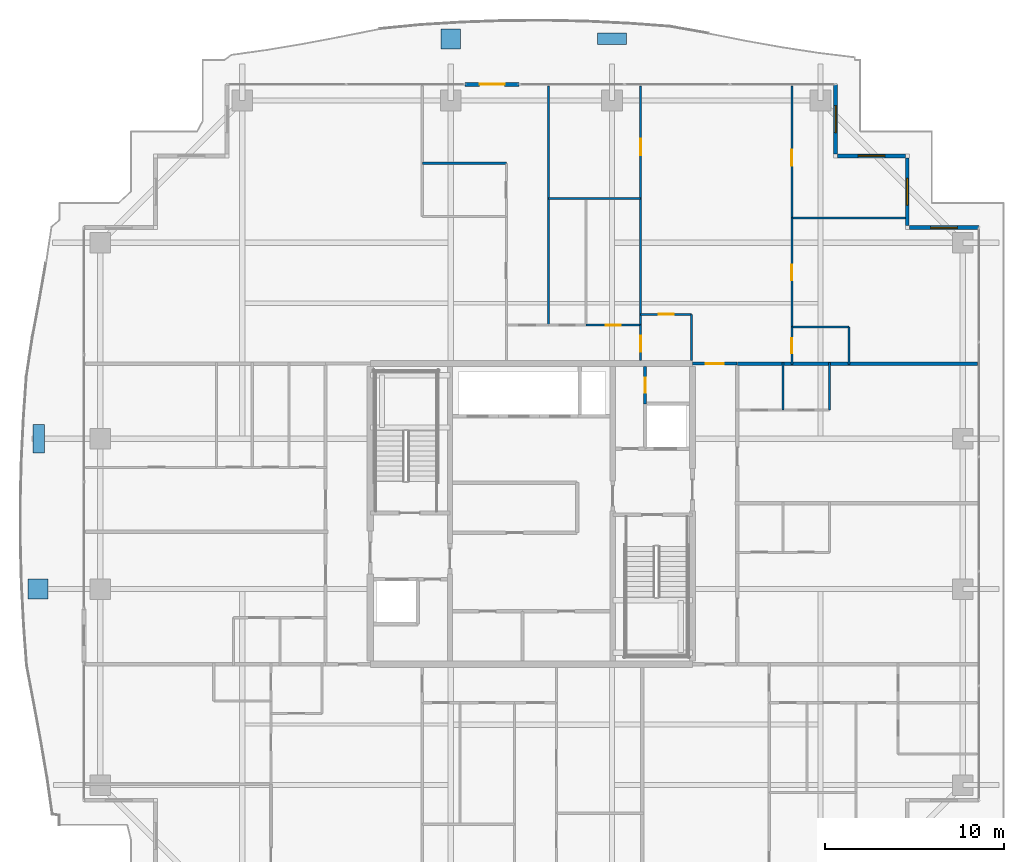
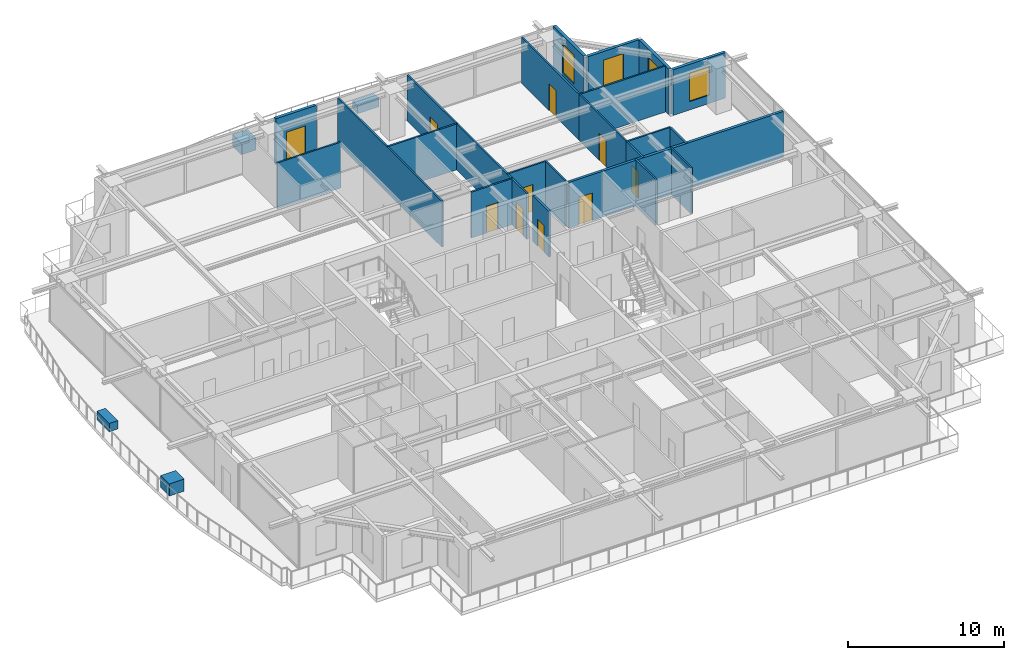
# One storey, part 31 of 38: 25 walls, 10 doors, 4 discrete accessories, 4 windows, 14 openings.
"""IFC4 building model written with IfcOpenShell, lengths in metres."""

import ifcopenshell
import ifcopenshell.guid

model = None  # the IFC model being written
_history = None  # IfcOwnerHistory: only IFC2X3 demands one
_inside = {}  # id of a spatial element -> (the spatial element, [elements in it])
_under = {}  # id of a project, library or spatial element -> (it, [spatial elements below it])
_declared = {}  # id of a project -> (the project, [libraries it declares])
_typed = {}  # id of a type object -> (the type object, [elements of that type])
_made_of = {}  # id of a material, layer set ... -> (it, [elements and type objects made of it])


def new_model(schema):
    """Start an empty IFC model of exactly this schema.

    Asked for "IFC4X3", IfcOpenShell would pick the latest addendum, in which some entities
    have other attributes; the version numbers below select the first issue.
    IFC2X3 requires an IfcOwnerHistory on every rooted entity: one is made here for all.
    """
    global model, _history
    if schema == "IFC4X3":
        model = ifcopenshell.file(schema_version=(4, 3, 0, 0))
    else:
        model = ifcopenshell.file(schema=schema)
    _inside.clear()
    _under.clear()
    _declared.clear()
    _typed.clear()
    _made_of.clear()
    _history = None
    if model.schema == "IFC2X3":
        org = make("IfcOrganization", Name="unknown")
        user = make(
            "IfcPersonAndOrganization",
            ThePerson=make("IfcPerson", FamilyName="unknown"),
            TheOrganization=org,
        )
        app = make(
            "IfcApplication",
            ApplicationDeveloper=org,
            Version="unknown",
            ApplicationFullName="unknown",
            ApplicationIdentifier="unknown",
        )
        _history = make(
            "IfcOwnerHistory",
            OwningUser=user,
            OwningApplication=app,
            ChangeAction="ADDED",
            CreationDate=0,
        )
    return model


def make(cls, **values):
    """One entity of the class cls with the attributes given. An attribute that is None is left unset."""
    return model.create_entity(
        cls, **{name: value for name, value in values.items() if value is not None}
    )


def rooted(cls, **values):
    """An entity with a GlobalId (a new one), such as an element, a storey or a relation."""
    return make(cls, GlobalId=ifcopenshell.guid.new(), OwnerHistory=_history, **values)


def si_unit(unit_type, name, prefix=None):
    """IfcSIUnit, for example si_unit("LENGTHUNIT", "METRE", prefix="MILLI")."""
    return make("IfcSIUnit", UnitType=unit_type, Prefix=prefix, Name=name)


def assignment(units):
    """IfcUnitAssignment: the units of a project."""
    return None if units is None else make("IfcUnitAssignment", Units=units)


def point(xyz):
    """IfcCartesianPoint."""
    return None if xyz is None else make("IfcCartesianPoint", Coordinates=xyz)


def direction(xyz):
    """IfcDirection."""
    return None if xyz is None else make("IfcDirection", DirectionRatios=xyz)


def frame(location, z_axis=None, x_axis=None):
    """IfcAxis2Placement3D, a coordinate frame: its origin and axes. An axis left out is left unset."""
    return make(
        "IfcAxis2Placement3D",
        Location=point(location),
        Axis=direction(z_axis),
        RefDirection=direction(x_axis),
    )


def frame_2d(location, x_axis=None):
    """IfcAxis2Placement2D, a coordinate frame in the plane: its origin and x axis."""
    return make(
        "IfcAxis2Placement2D", Location=point(location), RefDirection=direction(x_axis)
    )


def origin():
    """The frame at (0, 0, 0) with its axes left unset."""
    return frame((0.0, 0.0, 0.0))


def origin_2d():
    """The frame at (0, 0) in the plane with its x axis left unset."""
    return frame_2d((0.0, 0.0))


def place(relative_to, where):
    """IfcLocalPlacement: puts the frame where relative to a parent placement (None: the world)."""
    return make(
        "IfcLocalPlacement", PlacementRelTo=relative_to, RelativePlacement=where
    )


def context(
    kind, dimensions, precision=None, world=None, true_north=None, identifier=None
):
    """IfcGeometricRepresentationContext, for example the 3D "Model" context."""
    return make(
        "IfcGeometricRepresentationContext",
        ContextIdentifier=identifier,
        ContextType=kind,
        CoordinateSpaceDimension=dimensions,
        Precision=precision,
        WorldCoordinateSystem=world,
        TrueNorth=true_north,
    )


def subcontext(parent, identifier, kind, view, scale=None):
    """IfcGeometricRepresentationSubContext, for example "Body" below "Model"."""
    return make(
        "IfcGeometricRepresentationSubContext",
        ContextIdentifier=identifier,
        ContextType=kind,
        ParentContext=parent,
        TargetScale=scale,
        TargetView=view,
    )


def project(units=None, contexts=None):
    """IfcProject with its units and contexts."""
    return rooted(
        "IfcProject",
        Name="project",
        RepresentationContexts=contexts,
        UnitsInContext=assignment(units),
    )


def spatial(cls, under=None, at=None, **own):
    """A site, building, storey or space (cls), placed at a placement, below another one or the project."""
    s = rooted(cls, ObjectPlacement=at, **own)
    if under is not None:
        _under.setdefault(under.id(), (under, []))[1].append(s)
    return s


def profile(cls, at=None, kind="AREA", **sizes):
    """A parametric profile (cls). Its sizes go by their IFC names, for example OverallWidth=200.0."""
    return make(cls, ProfileType=kind, Position=at, **sizes)


def rectangle(**sizes):
    """IfcRectangleProfileDef."""
    return profile("IfcRectangleProfileDef", **sizes)


def extrude(swept, where, along, depth):
    """IfcExtrudedAreaSolid: the profile swept, set in the frame where, extruded along a direction by depth."""
    return make(
        "IfcExtrudedAreaSolid",
        SweptArea=swept,
        Position=where,
        ExtrudedDirection=direction(along),
        Depth=depth,
    )


def shape(context_of_items, identifier, shape_type, items):
    """IfcShapeRepresentation: the items that make up one representation, for example the "Body"."""
    return make(
        "IfcShapeRepresentation",
        ContextOfItems=context_of_items,
        RepresentationIdentifier=identifier,
        RepresentationType=shape_type,
        Items=items,
    )


def source(mapping_origin, context_of_items, identifier, shape_type, items):
    """IfcRepresentationMap: a shape defined once, which mapped items show again and again."""
    return make(
        "IfcRepresentationMap",
        MappingOrigin=mapping_origin,
        MappedRepresentation=shape(context_of_items, identifier, shape_type, items),
    )


def transform(
    local_origin,
    x_axis=None,
    y_axis=None,
    z_axis=None,
    scale=None,
    scale2=None,
    scale3=None,
    uniform=True,
):
    """IfcCartesianTransformationOperator3D, or its non-uniform kind. x_axis, y_axis, z_axis: its Axis1, 2, 3."""
    if uniform:
        return make(
            "IfcCartesianTransformationOperator3D",
            Axis1=direction(x_axis),
            Axis2=direction(y_axis),
            LocalOrigin=point(local_origin),
            Scale=scale,
            Axis3=direction(z_axis),
        )
    return make(
        "IfcCartesianTransformationOperator3DnonUniform",
        Axis1=direction(x_axis),
        Axis2=direction(y_axis),
        LocalOrigin=point(local_origin),
        Scale=scale,
        Axis3=direction(z_axis),
        Scale2=scale2,
        Scale3=scale3,
    )


def mapped(mapping_source, mapping_target):
    """IfcMappedItem: shows the shape of a source again, moved by a transform."""
    return make(
        "IfcMappedItem", MappingSource=mapping_source, MappingTarget=mapping_target
    )


def material(Name=None, Category=None):
    """IfcMaterial."""
    return make("IfcMaterial", Name=Name, Category=Category)


def layer(
    of_material, thickness, ventilated=None, Name=None, Category=None, Priority=None
):
    """IfcMaterialLayer: one layer of a wall or slab, of a material (None: an air gap)."""
    return make(
        "IfcMaterialLayer",
        Material=of_material,
        LayerThickness=thickness,
        IsVentilated=ventilated,
        Name=Name,
        Category=Category,
        Priority=Priority,
    )


def layer_set(layers, Name=None):
    """IfcMaterialLayerSet."""
    return make("IfcMaterialLayerSet", MaterialLayers=layers, LayerSetName=Name)


def made_of(thing, what):
    """Note that an element or type object is made of a material, layer set ...; save() writes the relation."""
    if what is not None:
        _made_of.setdefault(what.id(), (what, []))[1].append(thing)
    return thing


def type_object(cls, material=None, **own):
    """A type object (cls), such as IfcWallType, which elements share."""
    return made_of(rooted(cls, **own), material)


def element(
    cls,
    number,
    at=None,
    inside=None,
    cuts=None,
    type_object=None,
    material=None,
    context=None,
    identifier="Body",
    shape_type=None,
    held_by="IfcProductDefinitionShape",
    body=None,
    shapes=None,
    **own,
):
    """One element of the class cls, such as IfcWall. Its Tag is "e" and its number.

    at: its placement. inside: the storey or other place that contains it. cuts: it is an
    opening in that element (IfcRelVoidsElement). A single representation is given by context,
    identifier, shape_type and body (its items); several are given by shapes. held_by: the class
    of the entity that holds the representations. save() writes the other relations.
    """
    e = rooted(cls, Tag="e%d" % number, ObjectPlacement=at, **own)
    if body is not None:
        shapes = [shape(context, identifier, shape_type, body)]
    if shapes is not None:
        e.Representation = make(held_by, Representations=shapes)
    if inside is not None:
        _inside.setdefault(inside.id(), (inside, []))[1].append(e)
    if cuts is not None:
        rooted(
            "IfcRelVoidsElement", RelatingBuildingElement=cuts, RelatedOpeningElement=e
        )
    if type_object is not None:
        _typed.setdefault(type_object.id(), (type_object, []))[1].append(e)
    return made_of(e, material)


def fill(opening, filler):
    """IfcRelFillsElement: the door or window that sits in an opening."""
    return rooted(
        "IfcRelFillsElement",
        RelatingOpeningElement=opening,
        RelatedBuildingElement=filler,
    )


def aggregate(whole, parts):
    """IfcRelAggregates: a whole, such as a stair, and the parts it consists of."""
    return rooted("IfcRelAggregates", RelatingObject=whole, RelatedObjects=parts)


def save(model, path):
    """Write the relations noted so far, then the file.

    IfcRelAggregates (storeys below a building ...), IfcRelContainedInSpatialStructure (elements
    in a storey), IfcRelDefinesByType, IfcRelAssociatesMaterial and IfcRelDeclares: one each for
    every whole, place, type object, material and project.
    """
    for whole, parts in _under.values():
        aggregate(whole, parts)
    for where, things in _inside.values():
        rooted(
            "IfcRelContainedInSpatialStructure",
            RelatedElements=things,
            RelatingStructure=where,
        )
    for kind, things in _typed.values():
        rooted("IfcRelDefinesByType", RelatedObjects=things, RelatingType=kind)
    for what, things in _made_of.values():
        rooted("IfcRelAssociatesMaterial", RelatedObjects=things, RelatingMaterial=what)
    for by, libraries in _declared.values():
        rooted("IfcRelDeclares", RelatingContext=by, RelatedDefinitions=libraries)
    model.write(path)


model = new_model("IFC4")

# Units and contexts
model_context = context("Model", 3, precision=1e-05, world=origin(), true_north=direction((0.0, 1.0)))
body_context = subcontext(model_context, "Body", "Model", "MODEL_VIEW")
ifc_project = project(units=[si_unit("LENGTHUNIT", "METRE"), si_unit("AREAUNIT", "SQUARE_METRE"), si_unit("VOLUMEUNIT", "CUBIC_METRE"), si_unit("PLANEANGLEUNIT", "RADIAN"), si_unit("MASSUNIT", "GRAM", prefix="KILO")], contexts=[model_context])

# Site, building, storey
site_placement = place(None, origin())
site = spatial("IfcSite", under=ifc_project, at=site_placement, CompositionType="ELEMENT")
building_placement = place(site_placement, origin())
building = spatial("IfcBuilding", under=site, at=building_placement, Name="Serunith Strait Residences", CompositionType="ELEMENT")
storey_placement = place(building_placement, frame((0.0, 0.0, 268.199951171875)))
storey = spatial("IfcBuildingStorey", under=building, at=storey_placement, Name="L67", CompositionType="ELEMENT", Elevation=268.199951171875)

# Wall, opening, window
ifc_material_1 = material(Name="Pale-Champagne Aluminium Insulated Panel", Category="aluminium")
ifc_layer_1 = layer(ifc_material_1, 0.219970703125, Name="Pale-Champagne Aluminium Insulated Panel")
ifc_layer_set_1 = layer_set([ifc_layer_1], Name="Pale-Champagne Aluminium Insulated Panel")
wall_type_1 = type_object("IfcWallType", Name="EW-ALUM-220", PredefinedType="ELEMENTEDWALL", material=ifc_layer_set_1)
wall_1_placement = place(storey_placement, frame((57.39990234375, 41.199951171875, 0.0), z_axis=(0.0, 0.0, 1.0), x_axis=(-1.0, 0.0, 0.0)))
wall_1 = element("IfcWall", 1, at=wall_1_placement, inside=storey, type_object=wall_type_1, Name="L67 Girih Serrated Corner Wall 07", PredefinedType="ELEMENTEDWALL", context=body_context, shape_type="SweptSolid", body=[
    extrude(rectangle(XDim=3.889892578125, YDim=0.219970703125, at=frame_2d((1.94482421875, 0.0))), origin(), (0.0, 0.0, 1.0), 3.574951171875),
])
opening_1_placement = place(wall_1_placement, frame((1.195068359375, 0.0, 0.64990234375)))
opening_1 = element("IfcOpeningElement", 2, at=opening_1_placement, cuts=wall_1, Name="Opening W-05", PredefinedType="OPENING", context=body_context, shape_type="SweptSolid", body=[
    extrude(rectangle(XDim=1.5, YDim=2.25, at=frame_2d((0.75, 1.125))), frame((0.0, 0.1201171875, 0.0), z_axis=(0.0, -1.0, 0.0), x_axis=(1.0, 0.0, 0.0)), (0.0, 0.0, 1.0), 0.239990234375),
])
ifc_material_2 = material(Name="Ceramic-Fritted Operable Aluminium Window Glass", Category="aluminium")
window_type = type_object("IfcWindowType", Name="WIN-C5", PartitioningType="DOUBLE_PANEL_VERTICAL", PredefinedType="WINDOW", material=ifc_material_2)
shared_shape_1 = source(origin(), body_context, "Body", "SweptSolid", [
    extrude(rectangle(XDim=1.5, YDim=2.25, at=frame_2d((0.75, 1.125))), frame((0.0, 0.030029296875, 0.0), z_axis=(0.0, -1.0, 0.0), x_axis=(1.0, 0.0, 0.0)), (0.0, 0.0, 1.0), 0.06005859375),
])
window_1_placement = place(opening_1_placement, origin())
window_1 = element("IfcWindow", 3, at=window_1_placement, inside=storey, type_object=window_type, Name="L67 Corner Operable Fritted Window 07", OverallHeight=2.25, OverallWidth=1.5, PartitioningType="SINGLE_PANEL", PredefinedType="WINDOW", context=body_context, shape_type="MappedRepresentation", body=[
    mapped(shared_shape_1, transform((0.0, 0.0, 0.0), scale=1.0)),
])
fill(opening_1, window_1)

wall_2_placement = place(storey_placement, frame((53.39990234375, 41.31005859375, 0.0), z_axis=(0.0, 0.0, 1.0), x_axis=(0.0, 1.0, 0.0)))
wall_2 = element("IfcWall", 4, at=wall_2_placement, inside=storey, type_object=wall_type_1, Name="L67 Girih Serrated Corner Wall 08", PredefinedType="ELEMENTEDWALL", context=body_context, shape_type="SweptSolid", body=[
    extrude(rectangle(XDim=3.780029296875, YDim=0.219970703125, at=frame_2d((1.89013671875, 0.0))), origin(), (0.0, 0.0, 1.0), 3.574951171875),
])
opening_2_placement = place(wall_2_placement, frame((1.139892578125, 0.0, 0.64990234375)))
opening_2 = element("IfcOpeningElement", 5, at=opening_2_placement, cuts=wall_2, Name="Opening W-05", PredefinedType="OPENING", context=body_context, shape_type="SweptSolid", body=[
    extrude(rectangle(XDim=1.5, YDim=2.25, at=frame_2d((0.75, 1.125))), frame((0.0, 0.1201171875, 0.0), z_axis=(0.0, -1.0, 0.0), x_axis=(1.0, 0.0, 0.0)), (0.0, 0.0, 1.0), 0.239990234375),
])
window_2_placement = place(opening_2_placement, origin())
window_2 = element("IfcWindow", 6, at=window_2_placement, inside=storey, type_object=window_type, Name="L67 Corner Operable Fritted Window 08", OverallHeight=2.25, OverallWidth=1.5, PartitioningType="SINGLE_PANEL", PredefinedType="WINDOW", context=body_context, shape_type="MappedRepresentation", body=[
    mapped(shared_shape_1, transform((0.0, 0.0, 0.0), scale=1.0)),
])
fill(opening_2, window_2)

wall_3_placement = place(storey_placement, frame((53.2900390625, 45.199951171875, 0.0), z_axis=(0.0, 0.0, 1.0), x_axis=(-1.0, 0.0, 0.0)))
wall_3 = element("IfcWall", 7, at=wall_3_placement, inside=storey, type_object=wall_type_1, Name="L67 Girih Serrated Corner Wall 09", PredefinedType="ELEMENTEDWALL", context=body_context, shape_type="SweptSolid", body=[
    extrude(rectangle(XDim=3.780029296875, YDim=0.219970703125, at=frame_2d((1.89013671875, 0.0))), origin(), (0.0, 0.0, 1.0), 3.574951171875),
])
opening_3_placement = place(wall_3_placement, frame((1.139892578125, 0.0, 0.64990234375)))
opening_3 = element("IfcOpeningElement", 8, at=opening_3_placement, cuts=wall_3, Name="Opening W-05", PredefinedType="OPENING", context=body_context, shape_type="SweptSolid", body=[
    extrude(rectangle(XDim=1.5, YDim=2.25, at=frame_2d((0.75, 1.125))), frame((0.0, 0.1201171875, 0.0), z_axis=(0.0, -1.0, 0.0), x_axis=(1.0, 0.0, 0.0)), (0.0, 0.0, 1.0), 0.239990234375),
])
window_3_placement = place(opening_3_placement, origin())
window_3 = element("IfcWindow", 9, at=window_3_placement, inside=storey, type_object=window_type, Name="L67 Corner Operable Fritted Window 09", OverallHeight=2.25, OverallWidth=1.5, PartitioningType="SINGLE_PANEL", PredefinedType="WINDOW", context=body_context, shape_type="MappedRepresentation", body=[
    mapped(shared_shape_1, transform((0.0, 0.0, 0.0), scale=1.0)),
])
fill(opening_3, window_3)

wall_4_placement = place(storey_placement, frame((49.39990234375, 45.31005859375, 0.0), z_axis=(0.0, 0.0, 1.0), x_axis=(0.0, 1.0, 0.0)))
wall_4 = element("IfcWall", 10, at=wall_4_placement, inside=storey, type_object=wall_type_1, Name="L67 Girih Serrated Corner Wall 10", PredefinedType="ELEMENTEDWALL", context=body_context, shape_type="SweptSolid", body=[
    extrude(rectangle(XDim=3.889892578125, YDim=0.219970703125, at=frame_2d((1.94482421875, 0.0))), origin(), (0.0, 0.0, 1.0), 3.574951171875),
])
opening_4_placement = place(wall_4_placement, frame((1.195068359375, 0.0, 0.64990234375)))
opening_4 = element("IfcOpeningElement", 11, at=opening_4_placement, cuts=wall_4, Name="Opening W-05", PredefinedType="OPENING", context=body_context, shape_type="SweptSolid", body=[
    extrude(rectangle(XDim=1.5, YDim=2.25, at=frame_2d((0.75, 1.125))), frame((0.0, 0.1201171875, 0.0), z_axis=(0.0, -1.0, 0.0), x_axis=(1.0, 0.0, 0.0)), (0.0, 0.0, 1.0), 0.239990234375),
])
window_4_placement = place(opening_4_placement, origin())
window_4 = element("IfcWindow", 12, at=window_4_placement, inside=storey, type_object=window_type, Name="L67 Corner Operable Fritted Window 10", OverallHeight=2.25, OverallWidth=1.5, PartitioningType="SINGLE_PANEL", PredefinedType="WINDOW", context=body_context, shape_type="MappedRepresentation", body=[
    mapped(shared_shape_1, transform((0.0, 0.0, 0.0), scale=1.0)),
])
fill(opening_4, window_4)

# Wall, opening, door
wall_5_placement = place(storey_placement, frame((31.699951171875, 49.199951171875, 0.0), z_axis=(0.0, 0.0, 1.0), x_axis=(-1.0, 0.0, 0.0)))
wall_5 = element("IfcWall", 13, at=wall_5_placement, inside=storey, type_object=wall_type_1, Name="L67 N Facade Pier Wall", PredefinedType="ELEMENTEDWALL", context=body_context, shape_type="SweptSolid", body=[
    extrude(rectangle(XDim=3.0, YDim=0.219970703125, at=frame_2d((1.5, 0.0))), origin(), (0.0, 0.0, 1.0), 3.574951171875),
])
opening_5_placement = place(wall_5_placement, frame((0.800048828125, 0.0, 0.0)))
opening_5 = element("IfcOpeningElement", 14, at=opening_5_placement, cuts=wall_5, Name="Opening ED-04", PredefinedType="OPENING", context=body_context, shape_type="SweptSolid", body=[
    extrude(rectangle(XDim=1.39990234375, YDim=2.25, at=frame_2d((0.699951171875, 1.125))), frame((0.0, 0.1201171875, 0.0), z_axis=(0.0, -1.0, 0.0), x_axis=(1.0, 0.0, 0.0)), (0.0, 0.0, 1.0), 0.239990234375),
])
ifc_material_3 = material(Name="Thermally-Broken Aluminium Sliding Balcony Door", Category="aluminium")
door_type_1 = type_object("IfcDoorType", Name="ED-BALC-1400", OperationType="NOTDEFINED", PredefinedType="DOOR", material=ifc_material_3)
shared_shape_2 = source(origin(), body_context, "Body", "SweptSolid", [
    extrude(rectangle(XDim=1.39990234375, YDim=2.25, at=frame_2d((0.699951171875, 1.125))), frame((0.0, 0.02490234375, 0.0), z_axis=(0.0, -1.0, 0.0), x_axis=(1.0, 0.0, 0.0)), (0.0, 0.0, 1.0), 0.050048828125),
])
door_1_placement = place(opening_5_placement, origin())
door_1 = element("IfcDoor", 15, at=door_1_placement, inside=storey, type_object=door_type_1, Name="L67 N Vertical-Forest Balcony Door", OperationType="SLIDING_TO_LEFT", OverallHeight=2.25, OverallWidth=1.39990234375, PredefinedType="DOOR", context=body_context, shape_type="MappedRepresentation", body=[
    mapped(shared_shape_2, transform((0.0, 0.0, 0.0), scale=1.0)),
])
fill(opening_5, door_1)

ifc_material_4 = material(Name="Fire-rated masonry service closet wall", Category="masonry")
ifc_layer_2 = layer(ifc_material_4, 0.14990234375, Name="Fire-rated masonry service closet wall")
ifc_layer_set_2 = layer_set([ifc_layer_2], Name="Fire-rated masonry service closet wall")
wall_type_2 = type_object("IfcWallType", Name="IW-BOH-150", PredefinedType="PARTITIONING", material=ifc_layer_set_2)
wall_6_placement = place(storey_placement, frame((38.75, 31.35205078125, 0.0), z_axis=(0.0, 0.0, 1.0), x_axis=(0.0, 1.0, 0.0)))
wall_6 = element("IfcWall", 16, at=wall_6_placement, inside=storey, type_object=wall_type_2, Name="L67 Partition Wall 011", PredefinedType="PARTITIONING", context=body_context, shape_type="SweptSolid", body=[
    extrude(rectangle(XDim=2.072998046875, YDim=0.14990234375, at=frame_2d((1.03662109375, 0.0))), origin(), (0.0, 0.0, 1.0), 3.590087890625),
])
opening_6_placement = place(wall_6_placement, frame((0.611083984375, 0.0, 0.0)))
opening_6 = element("IfcOpeningElement", 17, at=opening_6_placement, cuts=wall_6, Name="Opening FD-850", PredefinedType="OPENING", context=body_context, shape_type="SweptSolid", body=[
    extrude(rectangle(XDim=0.85009765625, YDim=2.10009765625, at=frame_2d((0.425048828125, 1.050048828125))), frame((0.0, 0.0849609375, 0.0), z_axis=(0.0, -1.0, 0.0), x_axis=(1.0, 0.0, 0.0)), (0.0, 0.0, 1.0), 0.169921875),
])
ifc_material_5 = material(Name="Powder-coated steel service closet door", Category="steel")
door_type_2 = type_object("IfcDoorType", Name="FD-BOH-850", OperationType="NOTDEFINED", PredefinedType="DOOR", material=ifc_material_5)
shared_shape_3 = source(origin(), body_context, "Body", "SweptSolid", [
    extrude(rectangle(XDim=0.85009765625, YDim=2.10009765625, at=frame_2d((0.425048828125, 1.050048828125))), frame((0.0, 0.02490234375, 0.0), z_axis=(0.0, -1.0, 0.0), x_axis=(1.0, 0.0, 0.0)), (0.0, 0.0, 1.0), 0.050048828125),
])
door_2_placement = place(opening_6_placement, origin())
door_2 = element("IfcDoor", 18, at=door_2_placement, inside=storey, type_object=door_type_2, Name="L67 ELV Data Closet Door", OperationType="SINGLE_SWING_RIGHT", OverallHeight=2.10009765625, OverallWidth=0.85009765625, PredefinedType="DOOR", context=body_context, shape_type="MappedRepresentation", body=[
    mapped(shared_shape_3, transform((0.0, 0.0, 0.0), scale=1.0)),
])
fill(opening_6, door_2)

ifc_material_6 = material(Name="Fire-rated acoustic gypsum partition")
ifc_layer_3 = layer(ifc_material_6, 0.179931640625, Name="Fire-rated acoustic gypsum partition")
ifc_layer_set_3 = layer_set([ifc_layer_3], Name="Fire-rated acoustic gypsum partition")
wall_type_3 = type_object("IfcWallType", Name="IW-CORR-180", PredefinedType="PARTITIONING", material=ifc_layer_set_3)
wall_7_placement = place(storey_placement, frame((41.402099609375, 33.60009765625, 0.0), z_axis=(0.0, 0.0, 1.0), x_axis=(1.0, 0.0, 0.0)))
wall_7 = element("IfcWall", 19, at=wall_7_placement, inside=storey, type_object=wall_type_3, Name="L67 Partition Wall 029", PredefinedType="PARTITIONING", context=body_context, shape_type="SweptSolid", body=[
    extrude(rectangle(XDim=2.495849609375, YDim=0.179931640625, at=frame_2d((1.248046875, 0.0))), origin(), (0.0, 0.0, 1.0), 3.590087890625),
])
opening_7_placement = place(wall_7_placement, frame((0.748046875, 0.0, 0.0)))
opening_7 = element("IfcOpeningElement", 20, at=opening_7_placement, cuts=wall_7, Name="Opening D-APT1000", PredefinedType="OPENING", context=body_context, shape_type="SweptSolid", body=[
    extrude(rectangle(XDim=1.0, YDim=2.14990234375, at=frame_2d((0.5, 1.074951171875))), frame((0.0, 0.10009765625, 0.0), z_axis=(0.0, -1.0, 0.0), x_axis=(1.0, 0.0, 0.0)), (0.0, 0.0, 1.0), 0.199951171875),
])
ifc_material_7 = material(Name="Solid timber engineered fire door", Category="wood")
door_type_3 = type_object("IfcDoorType", Name="ID-APT-1000", OperationType="NOTDEFINED", PredefinedType="DOOR", material=ifc_material_7)
shared_shape_4 = source(origin(), body_context, "Body", "SweptSolid", [
    extrude(rectangle(XDim=1.0, YDim=2.14990234375, at=frame_2d((0.5, 1.074951171875))), frame((0.0, 0.02490234375, 0.0), z_axis=(0.0, -1.0, 0.0), x_axis=(1.0, 0.0, 0.0)), (0.0, 0.0, 1.0), 0.050048828125),
])
door_3_placement = place(opening_7_placement, origin())
door_3 = element("IfcDoor", 21, at=door_3_placement, inside=storey, type_object=door_type_3, Name="L67 Unit 03 Entrance Door", OperationType="SINGLE_SWING_RIGHT", OverallHeight=2.14990234375, OverallWidth=1.0, PredefinedType="DOOR", context=body_context, shape_type="MappedRepresentation", body=[
    mapped(shared_shape_4, transform((0.0, 0.0, 0.0), scale=1.0)),
])
fill(opening_7, door_3)

ifc_material_8 = material(Name="Lightweight steel-stud gypsum partition", Category="steel")
ifc_layer_4 = layer(ifc_material_8, 0.1201171875, Name="Lightweight steel-stud gypsum partition")
ifc_layer_set_4 = layer_set([ifc_layer_4], Name="Lightweight steel-stud gypsum partition")
wall_type_4 = type_object("IfcWallType", Name="IW-PART-120", PredefinedType="PARTITIONING", material=ifc_layer_set_4)
wall_8_placement = place(storey_placement, frame((38.5, 36.35009765625, 0.0), z_axis=(0.0, 0.0, 1.0), x_axis=(1.0, 0.0, 0.0)))
wall_8 = element("IfcWall", 22, at=wall_8_placement, inside=storey, type_object=wall_type_4, Name="L67 Partition Wall 066", PredefinedType="PARTITIONING", context=body_context, shape_type="SweptSolid", body=[
    extrude(rectangle(XDim=2.85009765625, YDim=0.1201171875, at=frame_2d((1.425048828125, 0.0))), origin(), (0.0, 0.0, 1.0), 3.590087890625),
])
opening_8_placement = place(wall_8_placement, frame((1.0, 0.0, 0.0)))
opening_8 = element("IfcOpeningElement", 23, at=opening_8_placement, cuts=wall_8, Name="Opening D-RM850", PredefinedType="OPENING", context=body_context, shape_type="SweptSolid", body=[
    extrude(rectangle(XDim=0.85009765625, YDim=2.10009765625, at=frame_2d((0.425048828125, 1.050048828125))), frame((0.0, 0.070068359375, 0.0), z_axis=(0.0, -1.0, 0.0), x_axis=(1.0, 0.0, 0.0)), (0.0, 0.0, 1.0), 0.14013671875),
])
ifc_material_9 = material(Name="Engineered timber flush study and kitchen door", Category="wood")
door_type_4 = type_object("IfcDoorType", Name="ID-ROOM-850", OperationType="NOTDEFINED", PredefinedType="DOOR", material=ifc_material_9)
door_4_placement = place(opening_8_placement, origin())
door_4 = element("IfcDoor", 24, at=door_4_placement, inside=storey, type_object=door_type_4, Name="L67 Kitchen 6703 Door", OperationType="SINGLE_SWING_LEFT", OverallHeight=2.10009765625, OverallWidth=0.85009765625, PredefinedType="DOOR", context=body_context, shape_type="MappedRepresentation", body=[
    mapped(shared_shape_3, transform((0.0, 0.0, 0.0), scale=1.0)),
])
fill(opening_8, door_4)

# Wall
wall_9_placement = place(storey_placement, frame((41.35009765625, 36.35009765625, 0.0), z_axis=(0.0, 0.0, 1.0), x_axis=(0.0, -1.0, 0.0)))
element("IfcWall", 25, at=wall_9_placement, inside=storey, type_object=wall_type_4, Name="L67 Partition Wall 067", PredefinedType="PARTITIONING", context=body_context, shape_type="SweptSolid", body=[
    extrude(rectangle(XDim=2.5751953125, YDim=0.1201171875, at=frame_2d((1.28759765625, 0.0))), origin(), (0.0, 0.0, 1.0), 3.590087890625),
])

# Wall, opening, door
wall_10_placement = place(storey_placement, frame((38.5, 35.75, 0.0), z_axis=(0.0, 0.0, 1.0), x_axis=(0.0, -1.0, 0.0)))
wall_10 = element("IfcWall", 26, at=wall_10_placement, inside=storey, type_object=wall_type_4, Name="L67 Partition Wall 068", PredefinedType="PARTITIONING", context=body_context, shape_type="SweptSolid", body=[
    extrude(rectangle(XDim=1.97509765625, YDim=0.1201171875, at=frame_2d((0.987548828125, 0.0))), origin(), (0.0, 0.0, 1.0), 3.590087890625),
])
opening_9_placement = place(wall_10_placement, frame((0.60107421875, 0.0, 0.0)))
opening_9 = element("IfcOpeningElement", 27, at=opening_9_placement, cuts=wall_10, Name="Opening D-RM900", PredefinedType="OPENING", context=body_context, shape_type="SweptSolid", body=[
    extrude(rectangle(XDim=0.89990234375, YDim=2.10009765625, at=frame_2d((0.449951171875, 1.050048828125))), frame((0.0, 0.070068359375, 0.0), z_axis=(0.0, -1.0, 0.0), x_axis=(1.0, 0.0, 0.0)), (0.0, 0.0, 1.0), 0.14013671875),
])
ifc_material_10 = material(Name="Engineered timber flush bedroom door", Category="wood")
door_type_5 = type_object("IfcDoorType", Name="ID-ROOM-900", OperationType="NOTDEFINED", PredefinedType="DOOR", material=ifc_material_10)
shared_shape_5 = source(origin(), body_context, "Body", "SweptSolid", [
    extrude(rectangle(XDim=0.89990234375, YDim=2.10009765625, at=frame_2d((0.449951171875, 1.050048828125))), frame((0.0, 0.02490234375, 0.0), z_axis=(0.0, -1.0, 0.0), x_axis=(1.0, 0.0, 0.0)), (0.0, 0.0, 1.0), 0.050048828125),
])
door_5_placement = place(opening_9_placement, origin())
door_5 = element("IfcDoor", 28, at=door_5_placement, inside=storey, type_object=door_type_5, Name="L67 Hall W 6703 Door", OperationType="SINGLE_SWING_RIGHT", OverallHeight=2.10009765625, OverallWidth=0.89990234375, PredefinedType="DOOR", context=body_context, shape_type="MappedRepresentation", body=[
    mapped(shared_shape_5, transform((0.0, 0.0, 0.0), scale=1.0)),
])
fill(opening_9, door_5)

wall_11_placement = place(storey_placement, frame((38.5, 49.10498046875, 0.0), z_axis=(0.0, 0.0, 1.0), x_axis=(0.0, -1.0, 0.0)))
wall_11 = element("IfcWall", 29, at=wall_11_placement, inside=storey, type_object=wall_type_4, Name="L67 Partition Wall 069", PredefinedType="PARTITIONING", context=body_context, shape_type="SweptSolid", body=[
    extrude(rectangle(XDim=6.27490234375, YDim=0.1201171875, at=frame_2d((3.137451171875, 0.0))), origin(), (0.0, 0.0, 1.0), 3.590087890625),
])
opening_10_placement = place(wall_11_placement, frame((2.9560546875, 0.0, 0.0)))
opening_10 = element("IfcOpeningElement", 30, at=opening_10_placement, cuts=wall_11, Name="Opening D-RM900", PredefinedType="OPENING", context=body_context, shape_type="SweptSolid", body=[
    extrude(rectangle(XDim=0.89990234375, YDim=2.10009765625, at=frame_2d((0.449951171875, 1.050048828125))), frame((0.0, 0.070068359375, 0.0), z_axis=(0.0, -1.0, 0.0), x_axis=(1.0, 0.0, 0.0)), (0.0, 0.0, 1.0), 0.14013671875),
])
door_6_placement = place(opening_10_placement, origin())
door_6 = element("IfcDoor", 31, at=door_6_placement, inside=storey, type_object=door_type_5, Name="L67 Formal Dining Room 1 6703 Door", OperationType="SINGLE_SWING_LEFT", OverallHeight=2.10009765625, OverallWidth=0.89990234375, PredefinedType="DOOR", context=body_context, shape_type="MappedRepresentation", body=[
    mapped(shared_shape_5, transform((0.0, 0.0, 0.0), scale=1.0)),
])
fill(opening_10, door_6)

# Walls
wall_12_placement = place(storey_placement, frame((38.5, 42.827880859375, 0.0), z_axis=(0.0, 0.0, 1.0), x_axis=(0.0, -1.0, 0.0)))
element("IfcWall", 32, at=wall_12_placement, inside=storey, type_object=wall_type_4, Name="L67 Partition Wall 070", PredefinedType="PARTITIONING", context=body_context, shape_type="SweptSolid", body=[
    extrude(rectangle(XDim=7.075927734375, YDim=0.1201171875, at=frame_2d((3.5380859375, 0.0))), origin(), (0.0, 0.0, 1.0), 3.590087890625),
])
wall_13_placement = place(storey_placement, frame((33.35009765625, 42.830078125, 0.0), z_axis=(0.0, 0.0, 1.0), x_axis=(1.0, 0.0, 0.0)))
element("IfcWall", 33, at=wall_13_placement, inside=storey, type_object=wall_type_4, Name="L67 Partition Wall 071", PredefinedType="PARTITIONING", context=body_context, shape_type="SweptSolid", body=[
    extrude(rectangle(XDim=5.14990234375, YDim=0.1201171875, at=frame_2d((2.574951171875, 0.0))), origin(), (0.0, 0.0, 1.0), 3.590087890625),
])
wall_14_placement = place(storey_placement, frame((33.35009765625, 49.10498046875, 0.0), z_axis=(0.0, 0.0, 1.0), x_axis=(0.0, -1.0, 0.0)))
element("IfcWall", 34, at=wall_14_placement, inside=storey, type_object=wall_type_4, Name="L67 Partition Wall 072", PredefinedType="PARTITIONING", context=body_context, shape_type="SweptSolid", body=[
    extrude(rectangle(XDim=13.35498046875, YDim=0.1201171875, at=frame_2d((6.677490234375, 0.0))), origin(), (0.0, 0.0, 1.0), 3.590087890625),
])

# Wall, opening, door
wall_15_placement = place(storey_placement, frame((35.451904296875, 35.75, 0.0), z_axis=(0.0, 0.0, 1.0), x_axis=(1.0, 0.0, 0.0)))
wall_15 = element("IfcWall", 35, at=wall_15_placement, inside=storey, type_object=wall_type_4, Name="L67 Partition Wall 075", PredefinedType="PARTITIONING", context=body_context, shape_type="SweptSolid", body=[
    extrude(rectangle(XDim=3.048095703125, YDim=0.1201171875, at=frame_2d((1.52392578125, 0.0))), origin(), (0.0, 0.0, 1.0), 3.590087890625),
])
opening_11_placement = place(wall_15_placement, frame((1.09912109375, 0.0, 0.0)))
opening_11 = element("IfcOpeningElement", 36, at=opening_11_placement, cuts=wall_15, Name="Opening D-RM850", PredefinedType="OPENING", context=body_context, shape_type="SweptSolid", body=[
    extrude(rectangle(XDim=0.85009765625, YDim=2.10009765625, at=frame_2d((0.425048828125, 1.050048828125))), frame((0.0, 0.070068359375, 0.0), z_axis=(0.0, -1.0, 0.0), x_axis=(1.0, 0.0, 0.0)), (0.0, 0.0, 1.0), 0.14013671875),
])
door_7_placement = place(opening_11_placement, origin())
door_7 = element("IfcDoor", 37, at=door_7_placement, inside=storey, type_object=door_type_4, Name="L67 Formal Dining Room 6703 Door", OperationType="SINGLE_SWING_LEFT", OverallHeight=2.10009765625, OverallWidth=0.85009765625, PredefinedType="DOOR", context=body_context, shape_type="MappedRepresentation", body=[
    mapped(shared_shape_3, transform((0.0, 0.0, 0.0), scale=1.0)),
])
fill(opening_11, door_7)

# Wall
wall_16_placement = place(storey_placement, frame((26.300048828125, 44.791015625, 0.0), z_axis=(0.0, 0.0, 1.0), x_axis=(1.0, 0.0, 0.0)))
element("IfcWall", 38, at=wall_16_placement, inside=storey, type_object=wall_type_4, Name="L67 Partition Wall 077", PredefinedType="PARTITIONING", context=body_context, shape_type="SweptSolid", body=[
    extrude(rectangle(XDim=4.699951171875, YDim=0.1201171875, at=frame_2d((2.35009765625, 0.0))), origin(), (0.0, 0.0, 1.0), 3.590087890625),
])

# Wall, opening, door
wall_17_placement = place(storey_placement, frame((46.949951171875, 49.10498046875, 0.0), z_axis=(0.0, 0.0, 1.0), x_axis=(0.0, -1.0, 0.0)))
wall_17 = element("IfcWall", 39, at=wall_17_placement, inside=storey, type_object=wall_type_4, Name="L67 Partition Wall 083", PredefinedType="PARTITIONING", context=body_context, shape_type="SweptSolid", body=[
    extrude(rectangle(XDim=7.373046875, YDim=0.1201171875, at=frame_2d((3.6865234375, 0.0))), origin(), (0.0, 0.0, 1.0), 3.590087890625),
])
opening_12_placement = place(wall_17_placement, frame((3.56005859375, 0.0, 0.0)))
opening_12 = element("IfcOpeningElement", 40, at=opening_12_placement, cuts=wall_17, Name="Opening D-RM900", PredefinedType="OPENING", context=body_context, shape_type="SweptSolid", body=[
    extrude(rectangle(XDim=0.89990234375, YDim=2.10009765625, at=frame_2d((0.449951171875, 1.050048828125))), frame((0.0, 0.070068359375, 0.0), z_axis=(0.0, -1.0, 0.0), x_axis=(1.0, 0.0, 0.0)), (0.0, 0.0, 1.0), 0.14013671875),
])
door_8_placement = place(opening_12_placement, origin())
door_8 = element("IfcDoor", 41, at=door_8_placement, inside=storey, type_object=door_type_5, Name="L67 Bedroom 3 6703 Door", OperationType="SINGLE_SWING_LEFT", OverallHeight=2.10009765625, OverallWidth=0.89990234375, PredefinedType="DOOR", context=body_context, shape_type="MappedRepresentation", body=[
    mapped(shared_shape_5, transform((0.0, 0.0, 0.0), scale=1.0)),
])
fill(opening_12, door_8)

# Walls
wall_18_placement = place(storey_placement, frame((46.949951171875, 41.73193359375, 0.0), z_axis=(0.0, 0.0, 1.0), x_axis=(1.0, 0.0, 0.0)))
element("IfcWall", 42, at=wall_18_placement, inside=storey, type_object=wall_type_4, Name="L67 Partition Wall 084", PredefinedType="PARTITIONING", context=body_context, shape_type="SweptSolid", body=[
    extrude(rectangle(XDim=6.35498046875, YDim=0.1201171875, at=frame_2d((3.177490234375, 0.0))), origin(), (0.0, 0.0, 1.0), 3.590087890625),
])
wall_19_placement = place(storey_placement, frame((46.949951171875, 35.64990234375, 0.0), z_axis=(0.0, 0.0, 1.0), x_axis=(1.0, 0.0, 0.0)))
element("IfcWall", 43, at=wall_19_placement, inside=storey, type_object=wall_type_4, Name="L67 Partition Wall 085", PredefinedType="PARTITIONING", context=body_context, shape_type="SweptSolid", body=[
    extrude(rectangle(XDim=3.199951171875, YDim=0.1201171875, at=frame_2d((1.60009765625, 0.0))), origin(), (0.0, 0.0, 1.0), 3.590087890625),
])
wall_20_placement = place(storey_placement, frame((50.14990234375, 35.64990234375, 0.0), z_axis=(0.0, 0.0, 1.0), x_axis=(0.0, -1.0, 0.0)))
element("IfcWall", 44, at=wall_20_placement, inside=storey, type_object=wall_type_4, Name="L67 Partition Wall 086", PredefinedType="PARTITIONING", context=body_context, shape_type="SweptSolid", body=[
    extrude(rectangle(XDim=2.10986328125, YDim=0.1201171875, at=frame_2d((1.054931640625, 0.0))), origin(), (0.0, 0.0, 1.0), 3.590087890625),
])

# Wall, opening, door
wall_21_placement = place(storey_placement, frame((46.949951171875, 41.72998046875, 0.0), z_axis=(0.0, 0.0, 1.0), x_axis=(0.0, -1.0, 0.0)))
wall_21 = element("IfcWall", 45, at=wall_21_placement, inside=storey, type_object=wall_type_4, Name="L67 Partition Wall 087", PredefinedType="PARTITIONING", context=body_context, shape_type="SweptSolid", body=[
    extrude(rectangle(XDim=6.080078125, YDim=0.1201171875, at=frame_2d((3.0400390625, 0.0))), origin(), (0.0, 0.0, 1.0), 3.590087890625),
])
opening_13_placement = place(wall_21_placement, frame((2.614990234375, 0.0, 0.0)))
opening_13 = element("IfcOpeningElement", 46, at=opening_13_placement, cuts=wall_21, Name="Opening D-RM850", PredefinedType="OPENING", context=body_context, shape_type="SweptSolid", body=[
    extrude(rectangle(XDim=0.85009765625, YDim=2.10009765625, at=frame_2d((0.425048828125, 1.050048828125))), frame((0.0, 0.070068359375, 0.0), z_axis=(0.0, -1.0, 0.0), x_axis=(1.0, 0.0, 0.0)), (0.0, 0.0, 1.0), 0.14013671875),
])
door_9_placement = place(opening_13_placement, origin())
door_9 = element("IfcDoor", 47, at=door_9_placement, inside=storey, type_object=door_type_4, Name="L67 Walk-in Wardrobe 6703 Door", OperationType="SINGLE_SWING_RIGHT", OverallHeight=2.10009765625, OverallWidth=0.85009765625, PredefinedType="DOOR", context=body_context, shape_type="MappedRepresentation", body=[
    mapped(shared_shape_3, transform((0.0, 0.0, 0.0), scale=1.0)),
])
fill(opening_13, door_9)

wall_22_placement = place(storey_placement, frame((46.949951171875, 35.64794921875, 0.0), z_axis=(0.0, 0.0, 1.0), x_axis=(0.0, -1.0, 0.0)))
wall_22 = element("IfcWall", 48, at=wall_22_placement, inside=storey, type_object=wall_type_4, Name="L67 Partition Wall 088", PredefinedType="PARTITIONING", context=body_context, shape_type="SweptSolid", body=[
    extrude(rectangle(XDim=2.10791015625, YDim=0.1201171875, at=frame_2d((1.053955078125, 0.0))), origin(), (0.0, 0.0, 1.0), 3.590087890625),
])
opening_14_placement = place(wall_22_placement, frame((0.62890625, 0.0, 0.0)))
opening_14 = element("IfcOpeningElement", 49, at=opening_14_placement, cuts=wall_22, Name="Opening D-BTH850", PredefinedType="OPENING", context=body_context, shape_type="SweptSolid", body=[
    extrude(rectangle(XDim=0.85009765625, YDim=2.10009765625, at=frame_2d((0.425048828125, 1.050048828125))), frame((0.0, 0.070068359375, 0.0), z_axis=(0.0, -1.0, 0.0), x_axis=(1.0, 0.0, 0.0)), (0.0, 0.0, 1.0), 0.14013671875),
])
ifc_material_11 = material(Name="Moisture-resistant timber bathroom door", Category="wood")
door_type_6 = type_object("IfcDoorType", Name="ID-BATH-850", OperationType="NOTDEFINED", PredefinedType="DOOR", material=ifc_material_11)
door_10_placement = place(opening_14_placement, origin())
door_10 = element("IfcDoor", 50, at=door_10_placement, inside=storey, type_object=door_type_6, Name="L67 Bathroom 6703 Door", OperationType="SINGLE_SWING_LEFT", OverallHeight=2.10009765625, OverallWidth=0.85009765625, PredefinedType="DOOR", context=body_context, shape_type="MappedRepresentation", body=[
    mapped(shared_shape_3, transform((0.0, 0.0, 0.0), scale=1.0)),
])
fill(opening_14, door_10)

# Walls
for number, where, z_axis, x_axis, name in (
    (51, (46.449951171875, 31.0, 0.0), (0.0, 0.0, 1.0), (0.0, 1.0, 0.0), "L67 Partition Wall 106"),
    (52, (49.050048828125, 31.0, 0.0), (0.0, 0.0, 1.0), (0.0, 1.0, 0.0), "L67 Partition Wall 107"),
):
    element("IfcWall", number, at=place(storey_placement, frame(where, z_axis=z_axis, x_axis=x_axis)), inside=storey, type_object=wall_type_4, Name=name, PredefinedType="PARTITIONING", context=body_context, shape_type="SweptSolid", body=[
        extrude(rectangle(XDim=2.659912109375, YDim=0.1201171875, at=frame_2d((1.330078125, 0.0))), origin(), (0.0, 0.0, 1.0), 3.590087890625),
    ])
ifc_material_12 = material(Name="Twin-stud acoustic gypsum board partition")
ifc_layer_5 = layer(ifc_material_12, 0.199951171875, Name="Twin-stud acoustic gypsum board partition")
ifc_layer_set_5 = layer_set([ifc_layer_5], Name="Twin-stud acoustic gypsum board partition")
wall_type_5 = type_object("IfcWallType", Name="IW-PARTY-200", PredefinedType="PARTITIONING", material=ifc_layer_set_5)
wall_23_placement = place(storey_placement, frame((43.89990234375, 33.60009765625, 0.0), z_axis=(0.0, 0.0, 1.0), x_axis=(1.0, 0.0, 0.0)))
element("IfcWall", 53, at=wall_23_placement, inside=storey, type_object=wall_type_5, Name="L67 Partition Wall 024", PredefinedType="PARTITIONING", context=body_context, shape_type="SweptSolid", body=[
    extrude(rectangle(XDim=13.418212890625, YDim=0.199951171875, at=frame_2d((6.708984375, 0.0))), origin(), (0.0, 0.0, 1.0), 3.590087890625),
])

# Discrete accessories
ifc_material_13 = material(Name="GFRC Root-Anchored Structural Planter")
discrete_accessory_type_1 = type_object("IfcDiscreteAccessoryType", Name="ACC-PLANTER-TREE", PredefinedType="USERDEFINED", material=ifc_material_13)
shared_shape_6 = source(origin(), body_context, "Body", "SweptSolid", [
    extrude(rectangle(XDim=1.10009765625, YDim=1.10009765625, at=origin_2d()), origin(), (0.0, 0.0, 1.0), 0.949951171875),
])
for number, where, z_axis, x_axis, name in (
    (54, (27.89990234375, 51.734619140625, -0.0498046875), (0.0, 0.0, 1.0), (-1.0, 0.0, 0.0), "L67 Vertical-Forest Tree Planter 06"),
    (55, (4.828369140625, 21.0, -0.0498046875), (0.0, 0.0, 1.0), (0.0, -1.0, 0.0), "L67 Vertical-Forest Tree Planter 14"),
):
    element("IfcDiscreteAccessory", number, at=place(storey_placement, frame(where, z_axis=z_axis, x_axis=x_axis)), inside=storey, type_object=discrete_accessory_type_1, Name=name, ObjectType="PLANTER", PredefinedType="USERDEFINED", context=body_context, shape_type="MappedRepresentation", body=[
        mapped(shared_shape_6, transform((0.0, 0.0, 0.0), scale=1.0)),
    ])
ifc_material_14 = material(Name="GFRC Irrigated Shrub Trough Planter")
discrete_accessory_type_2 = type_object("IfcDiscreteAccessoryType", Name="ACC-PLANTER-SHRUB", PredefinedType="USERDEFINED", material=ifc_material_14)
shared_shape_7 = source(origin(), body_context, "Body", "SweptSolid", [
    extrude(rectangle(XDim=1.60009765625, YDim=0.64990234375, at=origin_2d()), origin(), (0.0, 0.0, 1.0), 0.64990234375),
])
for number, where, z_axis, x_axis, name in (
    (56, (36.89990234375, 51.752685546875, -0.0498046875), (0.0, 0.0, 1.0), (-1.0, 0.0, 0.0), "L67 Vertical-Forest Shrub Planter 07"),
    (57, (4.863037109375, 29.39990234375, -0.0498046875), (0.0, 0.0, 1.0), (0.0, -1.0, 0.0), "L67 Vertical-Forest Shrub Planter 15"),
):
    element("IfcDiscreteAccessory", number, at=place(storey_placement, frame(where, z_axis=z_axis, x_axis=x_axis)), inside=storey, type_object=discrete_accessory_type_2, Name=name, ObjectType="PLANTER", PredefinedType="USERDEFINED", context=body_context, shape_type="MappedRepresentation", body=[
        mapped(shared_shape_7, transform((0.0, 0.0, 0.0), scale=1.0)),
    ])

save(model, "model.ifc")
